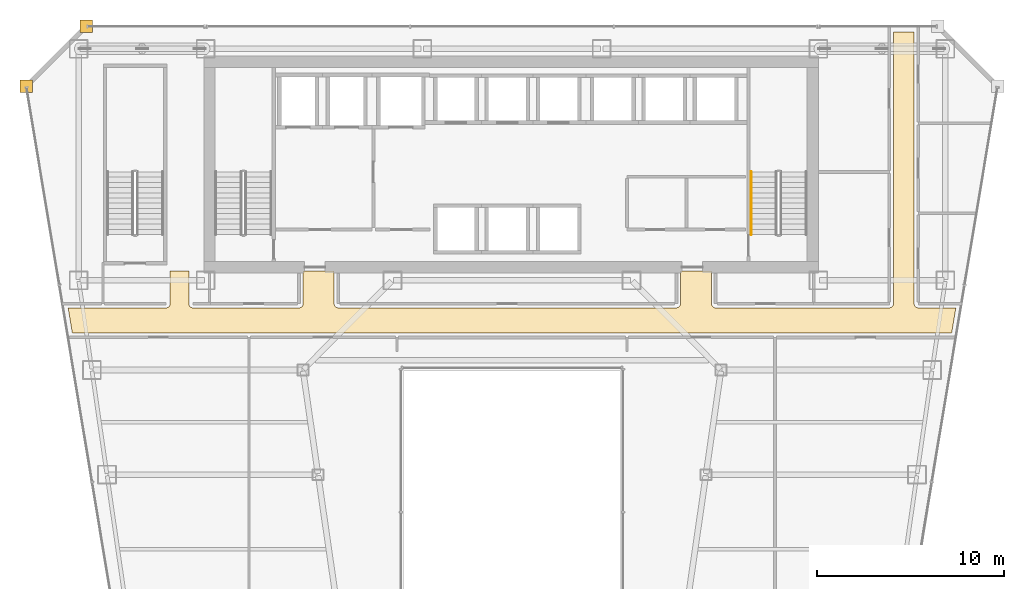
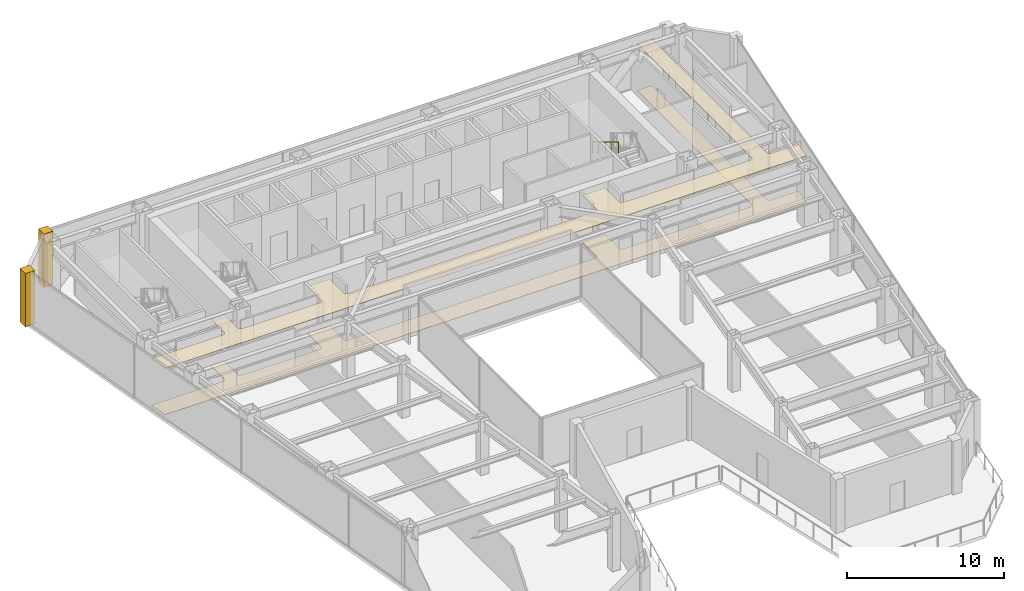
# One storey, part 34 of 35: 4 coverings, 1 railing.
"""IFC4 building model written with IfcOpenShell, lengths in metres."""

from ifc_helpers import new_model, si_unit, direction, frame, origin, origin_2d, place, context, subcontext, project, spatial, polyline, circle, outline, extrude, material, layer, layer_set, type_object, element, save


model = new_model("IFC4")

# Units and contexts
model_context = context("Model", 3, precision=1e-05, world=origin(), true_north=direction((0.0, 1.0)))
body_context = subcontext(model_context, "Body", "Model", "MODEL_VIEW")
ifc_project = project(units=[si_unit("LENGTHUNIT", "METRE"), si_unit("AREAUNIT", "SQUARE_METRE"), si_unit("VOLUMEUNIT", "CUBIC_METRE"), si_unit("PLANEANGLEUNIT", "RADIAN"), si_unit("MASSUNIT", "GRAM", prefix="KILO")], contexts=[model_context])

# Site, building, storey
site_placement = place(None, origin())
site = spatial("IfcSite", under=ifc_project, at=site_placement, CompositionType="ELEMENT")
building_placement = place(site_placement, origin())
building = spatial("IfcBuilding", under=site, at=building_placement, Name="Saevonmaru Cultural Tower", CompositionType="ELEMENT")
storey_placement = place(building_placement, frame((0.0, 0.0, 101.60009765625)))
storey = spatial("IfcBuildingStorey", under=building, at=storey_placement, Name="L21", CompositionType="ELEMENT", Elevation=101.60009765625)

# Coverings
ifc_material_1 = material(Name="Mineral Fibre Acoustic Ceiling", Category="gypsum")
ifc_layer_1 = layer(ifc_material_1, 0.044921875, Name="Mineral Fibre Acoustic Ceiling")
ifc_layer_set_1 = layer_set([ifc_layer_1], Name="Mineral Fibre Acoustic Ceiling")
covering_type_1 = type_object("IfcCoveringType", Name="CV-CEIL-ACOUSTIC", PredefinedType="CEILING", material=ifc_layer_set_1)
covering_1_placement = place(storey_placement, frame((0.0, 0.0, 3.599853515625)))
element("IfcCovering", 1, at=covering_1_placement, inside=storey, type_object=covering_type_1, Name="L21 Corridor Acoustic Ceiling", PredefinedType="CEILING", context=body_context, shape_type="SweptSolid", body=[
    extrude(outline(polyline([(6.462890625, 39.570068359375), (6.237060546875, 40.929931640625), (11.47998046875, 40.929931640625), (11.501953125, 40.930908203125), (11.52294921875, 40.93408203125), (11.5439453125, 40.93896484375), (11.56396484375, 40.947021484375), (11.583984375, 40.9560546875), (11.60205078125, 40.967041015625), (11.6201171875, 40.97998046875), (11.635986328125, 40.993896484375), (11.64990234375, 41.010009765625), (11.6630859375, 41.028076171875), (11.674072265625, 41.0458984375), (11.68310546875, 41.06591796875), (11.69091796875, 41.0859375), (11.696044921875, 41.10693359375), (11.698974609375, 41.1279296875), (11.699951171875, 41.14990234375), (11.699951171875, 42.889892578125), (12.699951171875, 42.889892578125), (12.699951171875, 41.14990234375), (12.700927734375, 41.1279296875), (12.7041015625, 41.10693359375), (12.708984375, 41.0859375), (12.717041015625, 41.06591796875), (12.72607421875, 41.0458984375), (12.737060546875, 41.028076171875), (12.75, 41.010009765625), (12.763916015625, 40.993896484375), (12.780029296875, 40.97998046875), (12.798095703125, 40.967041015625), (12.81591796875, 40.9560546875), (12.8359375, 40.947021484375), (12.85595703125, 40.93896484375), (12.876953125, 40.93408203125), (12.89794921875, 40.930908203125), (12.919921875, 40.929931640625), (18.60009765625, 40.929931640625), (18.6220703125, 40.930908203125), (18.64306640625, 40.93408203125), (18.6640625, 40.93896484375), (18.68408203125, 40.947021484375), (18.7041015625, 40.9560546875), (18.721923828125, 40.967041015625), (18.739990234375, 40.97998046875), (18.756103515625, 40.993896484375), (18.77001953125, 41.010009765625), (18.782958984375, 41.028076171875), (18.7939453125, 41.0458984375), (18.802978515625, 41.06591796875), (18.81103515625, 41.0859375), (18.81591796875, 41.10693359375), (18.819091796875, 41.1279296875), (18.820068359375, 41.14990234375), (18.820068359375, 42.889892578125), (20.47998046875, 42.889892578125), (20.47998046875, 41.14990234375), (20.48095703125, 41.1279296875), (20.48388671875, 41.10693359375), (20.489013671875, 41.0859375), (20.4970703125, 41.06591796875), (20.506103515625, 41.0458984375), (20.51708984375, 41.028076171875), (20.530029296875, 41.010009765625), (20.5439453125, 40.993896484375), (20.56005859375, 40.97998046875), (20.577880859375, 40.967041015625), (20.595947265625, 40.9560546875), (20.615966796875, 40.947021484375), (20.635986328125, 40.93896484375), (20.656982421875, 40.93408203125), (20.677978515625, 40.930908203125), (20.699951171875, 40.929931640625), (38.800048828125, 40.929931640625), (38.822021484375, 40.930908203125), (38.843017578125, 40.93408203125), (38.864013671875, 40.93896484375), (38.884033203125, 40.947021484375), (38.904052734375, 40.9560546875), (38.922119140625, 40.967041015625), (38.93994140625, 40.97998046875), (38.9560546875, 40.993896484375), (38.969970703125, 41.010009765625), (38.98291015625, 41.028076171875), (38.993896484375, 41.0458984375), (39.0029296875, 41.06591796875), (39.010986328125, 41.0859375), (39.01611328125, 41.10693359375), (39.01904296875, 41.1279296875), (39.02001953125, 41.14990234375), (39.02001953125, 42.889892578125), (40.679931640625, 42.889892578125), (40.679931640625, 41.14990234375), (40.680908203125, 41.1279296875), (40.68408203125, 41.10693359375), (40.68896484375, 41.0859375), (40.697021484375, 41.06591796875), (40.7060546875, 41.0458984375), (40.717041015625, 41.028076171875), (40.72998046875, 41.010009765625), (40.743896484375, 40.993896484375), (40.760009765625, 40.97998046875), (40.778076171875, 40.967041015625), (40.7958984375, 40.9560546875), (40.81591796875, 40.947021484375), (40.8359375, 40.93896484375), (40.85693359375, 40.93408203125), (40.8779296875, 40.930908203125), (40.89990234375, 40.929931640625), (50.199951171875, 40.929931640625), (50.221923828125, 40.930908203125), (50.242919921875, 40.93408203125), (50.263916015625, 40.93896484375), (50.283935546875, 40.947021484375), (50.303955078125, 40.9560546875), (50.322021484375, 40.967041015625), (50.340087890625, 40.97998046875), (50.35595703125, 40.993896484375), (50.3701171875, 41.010009765625), (50.383056640625, 41.028076171875), (50.39404296875, 41.0458984375), (50.403076171875, 41.06591796875), (50.410888671875, 41.0859375), (50.416015625, 41.10693359375), (50.4189453125, 41.1279296875), (50.419921875, 41.14990234375), (50.419921875, 55.699951171875), (51.530029296875, 55.699951171875), (51.530029296875, 41.14990234375), (51.531005859375, 41.1279296875), (51.533935546875, 41.10693359375), (51.5390625, 41.0859375), (51.547119140625, 41.06591796875), (51.555908203125, 41.0458984375), (51.56689453125, 41.028076171875), (51.580078125, 41.010009765625), (51.593994140625, 40.993896484375), (51.610107421875, 40.97998046875), (51.6279296875, 40.967041015625), (51.64599609375, 40.9560546875), (51.666015625, 40.947021484375), (51.68603515625, 40.93896484375), (51.70703125, 40.93408203125), (51.72802734375, 40.930908203125), (51.75, 40.929931640625), (53.762939453125, 40.929931640625), (53.537109375, 39.570068359375), (6.462890625, 39.570068359375)])), origin(), (0.0, 0.0, 1.0), 0.045166015625),
])
ifc_material_2 = material(Name="Satin Bronze Anodised Aluminium", Category="aluminium")
ifc_layer_2 = layer(ifc_material_2, 0.679931640625, Name="Satin Bronze Anodised Aluminium")
ifc_layer_set_2 = layer_set([ifc_layer_2], Name="Satin Bronze Anodised Aluminium")
covering_type_2 = type_object("IfcCoveringType", Name="CV-CORNER-CLAD", PredefinedType="CLADDING", material=ifc_layer_set_2)
covering_2_placement = place(storey_placement, origin())
element("IfcCovering", 2, at=covering_2_placement, inside=storey, type_object=covering_type_2, Name="L21 Tower Bronze Corner Cladding Pier 11", PredefinedType="CLADDING", context=body_context, shape_type="SweptSolid", body=[
    extrude(outline(polyline([(6.860107421875, 55.659912109375), (7.5400390625, 55.659912109375), (7.5400390625, 56.340087890625), (6.860107421875, 56.340087890625), (6.860107421875, 55.659912109375)])), origin(), (0.0, 0.0, 1.0), 4.14990234375),
])
covering_3_placement = place(storey_placement, origin())
element("IfcCovering", 3, at=covering_3_placement, inside=storey, type_object=covering_type_2, Name="L21 Tower Bronze Corner Cladding Pier 12", PredefinedType="CLADDING", context=body_context, shape_type="SweptSolid", body=[
    extrude(outline(polyline([(3.659912109375, 52.4599609375), (4.340087890625, 52.4599609375), (4.340087890625, 53.139892578125), (3.659912109375, 53.139892578125), (3.659912109375, 52.4599609375)])), origin(), (0.0, 0.0, 1.0), 4.14990234375),
])
ifc_material_3 = material(Name="Honed Granite Terrazzo", Category="masonry")
ifc_layer_3 = layer(ifc_material_3, 0.030029296875, Name="Honed Granite Terrazzo")
ifc_layer_set_3 = layer_set([ifc_layer_3], Name="Honed Granite Terrazzo")
covering_type_3 = type_object("IfcCoveringType", Name="CV-FLR-TERRAZZO", PredefinedType="FLOORING", material=ifc_layer_set_3)
covering_4_placement = place(storey_placement, origin())
element("IfcCovering", 4, at=covering_4_placement, inside=storey, type_object=covering_type_3, Name="L21 Corridor Terrazzo Flooring", PredefinedType="FLOORING", context=body_context, shape_type="SweptSolid", body=[
    extrude(outline(polyline([(6.462890625, 39.570068359375), (6.237060546875, 40.929931640625), (11.47998046875, 40.929931640625), (11.501953125, 40.930908203125), (11.52294921875, 40.93408203125), (11.5439453125, 40.93896484375), (11.56396484375, 40.947021484375), (11.583984375, 40.9560546875), (11.60205078125, 40.967041015625), (11.6201171875, 40.97998046875), (11.635986328125, 40.993896484375), (11.64990234375, 41.010009765625), (11.6630859375, 41.028076171875), (11.674072265625, 41.0458984375), (11.68310546875, 41.06591796875), (11.69091796875, 41.0859375), (11.696044921875, 41.10693359375), (11.698974609375, 41.1279296875), (11.699951171875, 41.14990234375), (11.699951171875, 42.889892578125), (12.699951171875, 42.889892578125), (12.699951171875, 41.14990234375), (12.700927734375, 41.1279296875), (12.7041015625, 41.10693359375), (12.708984375, 41.0859375), (12.717041015625, 41.06591796875), (12.72607421875, 41.0458984375), (12.737060546875, 41.028076171875), (12.75, 41.010009765625), (12.763916015625, 40.993896484375), (12.780029296875, 40.97998046875), (12.798095703125, 40.967041015625), (12.81591796875, 40.9560546875), (12.8359375, 40.947021484375), (12.85595703125, 40.93896484375), (12.876953125, 40.93408203125), (12.89794921875, 40.930908203125), (12.919921875, 40.929931640625), (18.60009765625, 40.929931640625), (18.6220703125, 40.930908203125), (18.64306640625, 40.93408203125), (18.6640625, 40.93896484375), (18.68408203125, 40.947021484375), (18.7041015625, 40.9560546875), (18.721923828125, 40.967041015625), (18.739990234375, 40.97998046875), (18.756103515625, 40.993896484375), (18.77001953125, 41.010009765625), (18.782958984375, 41.028076171875), (18.7939453125, 41.0458984375), (18.802978515625, 41.06591796875), (18.81103515625, 41.0859375), (18.81591796875, 41.10693359375), (18.819091796875, 41.1279296875), (18.820068359375, 41.14990234375), (18.820068359375, 42.889892578125), (20.47998046875, 42.889892578125), (20.47998046875, 41.14990234375), (20.48095703125, 41.1279296875), (20.48388671875, 41.10693359375), (20.489013671875, 41.0859375), (20.4970703125, 41.06591796875), (20.506103515625, 41.0458984375), (20.51708984375, 41.028076171875), (20.530029296875, 41.010009765625), (20.5439453125, 40.993896484375), (20.56005859375, 40.97998046875), (20.577880859375, 40.967041015625), (20.595947265625, 40.9560546875), (20.615966796875, 40.947021484375), (20.635986328125, 40.93896484375), (20.656982421875, 40.93408203125), (20.677978515625, 40.930908203125), (20.699951171875, 40.929931640625), (38.800048828125, 40.929931640625), (38.822021484375, 40.930908203125), (38.843017578125, 40.93408203125), (38.864013671875, 40.93896484375), (38.884033203125, 40.947021484375), (38.904052734375, 40.9560546875), (38.922119140625, 40.967041015625), (38.93994140625, 40.97998046875), (38.9560546875, 40.993896484375), (38.969970703125, 41.010009765625), (38.98291015625, 41.028076171875), (38.993896484375, 41.0458984375), (39.0029296875, 41.06591796875), (39.010986328125, 41.0859375), (39.01611328125, 41.10693359375), (39.01904296875, 41.1279296875), (39.02001953125, 41.14990234375), (39.02001953125, 42.889892578125), (40.679931640625, 42.889892578125), (40.679931640625, 41.14990234375), (40.680908203125, 41.1279296875), (40.68408203125, 41.10693359375), (40.68896484375, 41.0859375), (40.697021484375, 41.06591796875), (40.7060546875, 41.0458984375), (40.717041015625, 41.028076171875), (40.72998046875, 41.010009765625), (40.743896484375, 40.993896484375), (40.760009765625, 40.97998046875), (40.778076171875, 40.967041015625), (40.7958984375, 40.9560546875), (40.81591796875, 40.947021484375), (40.8359375, 40.93896484375), (40.85693359375, 40.93408203125), (40.8779296875, 40.930908203125), (40.89990234375, 40.929931640625), (50.199951171875, 40.929931640625), (50.221923828125, 40.930908203125), (50.242919921875, 40.93408203125), (50.263916015625, 40.93896484375), (50.283935546875, 40.947021484375), (50.303955078125, 40.9560546875), (50.322021484375, 40.967041015625), (50.340087890625, 40.97998046875), (50.35595703125, 40.993896484375), (50.3701171875, 41.010009765625), (50.383056640625, 41.028076171875), (50.39404296875, 41.0458984375), (50.403076171875, 41.06591796875), (50.410888671875, 41.0859375), (50.416015625, 41.10693359375), (50.4189453125, 41.1279296875), (50.419921875, 41.14990234375), (50.419921875, 55.699951171875), (51.530029296875, 55.699951171875), (51.530029296875, 41.14990234375), (51.531005859375, 41.1279296875), (51.533935546875, 41.10693359375), (51.5390625, 41.0859375), (51.547119140625, 41.06591796875), (51.555908203125, 41.0458984375), (51.56689453125, 41.028076171875), (51.580078125, 41.010009765625), (51.593994140625, 40.993896484375), (51.610107421875, 40.97998046875), (51.6279296875, 40.967041015625), (51.64599609375, 40.9560546875), (51.666015625, 40.947021484375), (51.68603515625, 40.93896484375), (51.70703125, 40.93408203125), (51.72802734375, 40.930908203125), (51.75, 40.929931640625), (53.762939453125, 40.929931640625), (53.537109375, 39.570068359375), (6.462890625, 39.570068359375)])), origin(), (0.0, 0.0, 1.0), 0.02978515625),
])

# Railing
railing_type = type_object("IfcRailingType", Name="RL-STAIR-HANDRAIL", PredefinedType="HANDRAIL", material=ifc_material_2)
railing_placement = place(storey_placement, frame((42.800048828125, 48.2099609375, 2.369140625)))
element("IfcRailing", 5, at=railing_placement, inside=storey, type_object=railing_type, Name="L21 ST-2 stair handrail 2", PredefinedType="HANDRAIL", context=body_context, shape_type="SweptSolid", body=[
    extrude(circle(Radius=0.02392578125, at=origin_2d()), frame((0.0, 0.0, 0.8759765625), z_axis=(0.0, -0.855820338506, 0.51727318527), x_axis=(1.0, 0.0, 0.0)), (0.0, 0.0, 1.0), 3.92578125),
    extrude(circle(Radius=0.02099609375, at=origin_2d()), origin(), (0.0, 0.0, 1.0), 0.851806640625),
    extrude(circle(Radius=0.02099609375, at=origin_2d()), frame((0.0, -0.83984375, 0.5078125)), (0.0, 0.0, 1.0), 0.851806640625),
    extrude(circle(Radius=0.02099609375, at=origin_2d()), frame((0.0, -1.679931640625, 1.015380859375)), (0.0, 0.0, 1.0), 0.851806640625),
    extrude(circle(Radius=0.02099609375, at=origin_2d()), frame((0.0, -2.52001953125, 1.52294921875)), (0.0, 0.0, 1.0), 0.851806640625),
    extrude(circle(Radius=0.02099609375, at=origin_2d()), frame((0.0, -3.35986328125, 2.03076171875)), (0.0, 0.0, 1.0), 0.851806640625),
])

save(model, "model.ifc")
